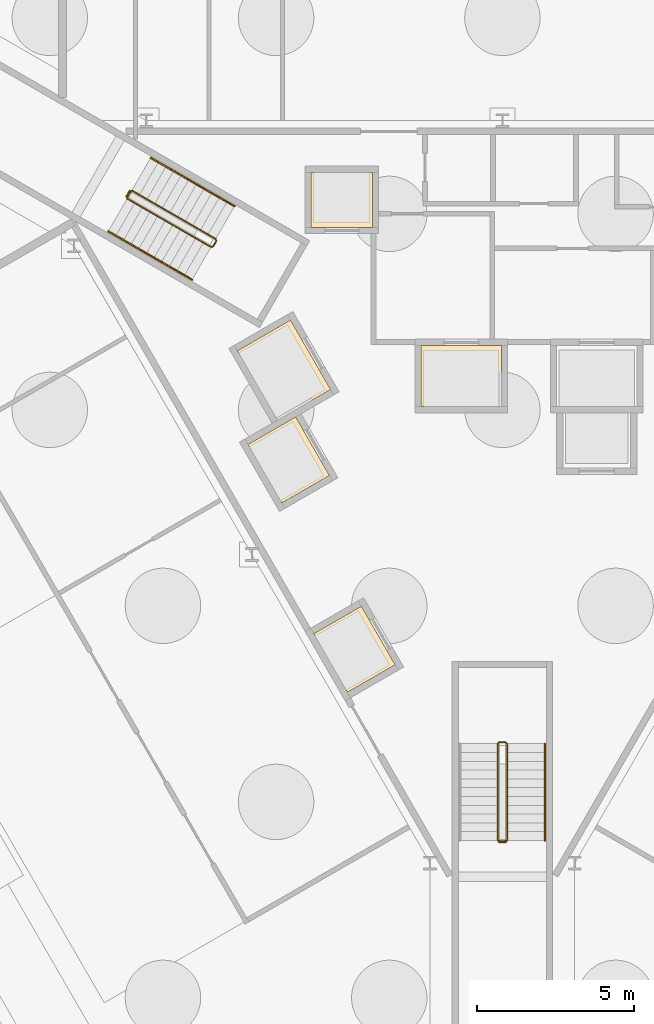
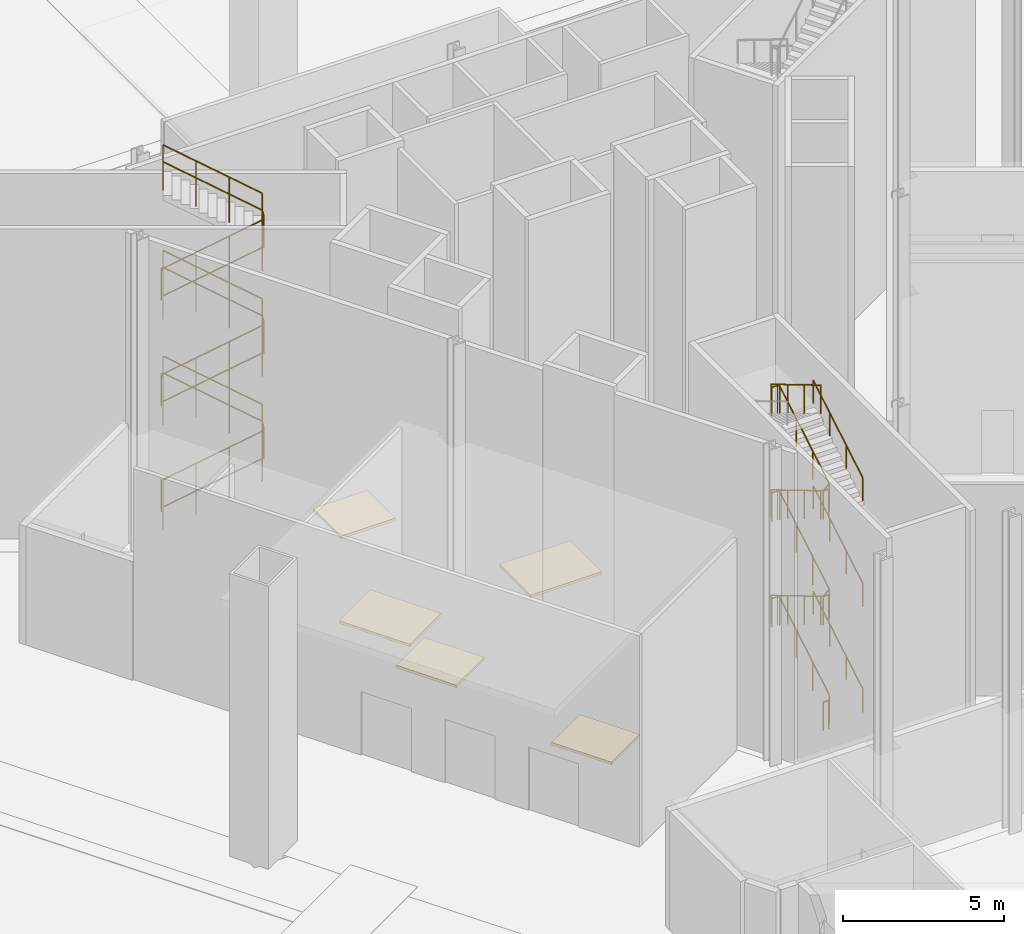
# One storey, part 15 of 22: 13 railings, 5 coverings.
"""IFC4 building model written with IfcOpenShell, lengths in metres."""

import ifcopenshell
import ifcopenshell.guid

model = None  # the IFC model being written
_history = None  # IfcOwnerHistory: only IFC2X3 demands one
_inside = {}  # id of a spatial element -> (the spatial element, [elements in it])
_under = {}  # id of a project, library or spatial element -> (it, [spatial elements below it])
_declared = {}  # id of a project -> (the project, [libraries it declares])
_typed = {}  # id of a type object -> (the type object, [elements of that type])
_made_of = {}  # id of a material, layer set ... -> (it, [elements and type objects made of it])


def new_model(schema):
    """Start an empty IFC model of exactly this schema.

    Asked for "IFC4X3", IfcOpenShell would pick the latest addendum, in which some entities
    have other attributes; the version numbers below select the first issue.
    IFC2X3 requires an IfcOwnerHistory on every rooted entity: one is made here for all.
    """
    global model, _history
    if schema == "IFC4X3":
        model = ifcopenshell.file(schema_version=(4, 3, 0, 0))
    else:
        model = ifcopenshell.file(schema=schema)
    _inside.clear()
    _under.clear()
    _declared.clear()
    _typed.clear()
    _made_of.clear()
    _history = None
    if model.schema == "IFC2X3":
        org = make("IfcOrganization", Name="unknown")
        user = make(
            "IfcPersonAndOrganization",
            ThePerson=make("IfcPerson", FamilyName="unknown"),
            TheOrganization=org,
        )
        app = make(
            "IfcApplication",
            ApplicationDeveloper=org,
            Version="unknown",
            ApplicationFullName="unknown",
            ApplicationIdentifier="unknown",
        )
        _history = make(
            "IfcOwnerHistory",
            OwningUser=user,
            OwningApplication=app,
            ChangeAction="ADDED",
            CreationDate=0,
        )
    return model


def make(cls, **values):
    """One entity of the class cls with the attributes given. An attribute that is None is left unset."""
    return model.create_entity(
        cls, **{name: value for name, value in values.items() if value is not None}
    )


def rooted(cls, **values):
    """An entity with a GlobalId (a new one), such as an element, a storey or a relation."""
    return make(cls, GlobalId=ifcopenshell.guid.new(), OwnerHistory=_history, **values)


def si_unit(unit_type, name, prefix=None):
    """IfcSIUnit, for example si_unit("LENGTHUNIT", "METRE", prefix="MILLI")."""
    return make("IfcSIUnit", UnitType=unit_type, Prefix=prefix, Name=name)


def assignment(units):
    """IfcUnitAssignment: the units of a project."""
    return None if units is None else make("IfcUnitAssignment", Units=units)


def point(xyz):
    """IfcCartesianPoint."""
    return None if xyz is None else make("IfcCartesianPoint", Coordinates=xyz)


def direction(xyz):
    """IfcDirection."""
    return None if xyz is None else make("IfcDirection", DirectionRatios=xyz)


def frame(location, z_axis=None, x_axis=None):
    """IfcAxis2Placement3D, a coordinate frame: its origin and axes. An axis left out is left unset."""
    return make(
        "IfcAxis2Placement3D",
        Location=point(location),
        Axis=direction(z_axis),
        RefDirection=direction(x_axis),
    )


def frame_2d(location, x_axis=None):
    """IfcAxis2Placement2D, a coordinate frame in the plane: its origin and x axis."""
    return make(
        "IfcAxis2Placement2D", Location=point(location), RefDirection=direction(x_axis)
    )


def origin():
    """The frame at (0, 0, 0) with its axes left unset."""
    return frame((0.0, 0.0, 0.0))


def origin_2d():
    """The frame at (0, 0) in the plane with its x axis left unset."""
    return frame_2d((0.0, 0.0))


def place(relative_to, where):
    """IfcLocalPlacement: puts the frame where relative to a parent placement (None: the world)."""
    return make(
        "IfcLocalPlacement", PlacementRelTo=relative_to, RelativePlacement=where
    )


def context(
    kind, dimensions, precision=None, world=None, true_north=None, identifier=None
):
    """IfcGeometricRepresentationContext, for example the 3D "Model" context."""
    return make(
        "IfcGeometricRepresentationContext",
        ContextIdentifier=identifier,
        ContextType=kind,
        CoordinateSpaceDimension=dimensions,
        Precision=precision,
        WorldCoordinateSystem=world,
        TrueNorth=true_north,
    )


def subcontext(parent, identifier, kind, view, scale=None):
    """IfcGeometricRepresentationSubContext, for example "Body" below "Model"."""
    return make(
        "IfcGeometricRepresentationSubContext",
        ContextIdentifier=identifier,
        ContextType=kind,
        ParentContext=parent,
        TargetScale=scale,
        TargetView=view,
    )


def project(units=None, contexts=None):
    """IfcProject with its units and contexts."""
    return rooted(
        "IfcProject",
        Name="project",
        RepresentationContexts=contexts,
        UnitsInContext=assignment(units),
    )


def spatial(cls, under=None, at=None, **own):
    """A site, building, storey or space (cls), placed at a placement, below another one or the project."""
    s = rooted(cls, ObjectPlacement=at, **own)
    if under is not None:
        _under.setdefault(under.id(), (under, []))[1].append(s)
    return s


def polyline(points):
    """IfcPolyline through the points."""
    return make("IfcPolyline", Points=[point(p) for p in points])


def profile(cls, at=None, kind="AREA", **sizes):
    """A parametric profile (cls). Its sizes go by their IFC names, for example OverallWidth=200.0."""
    return make(cls, ProfileType=kind, Position=at, **sizes)


def circle(**sizes):
    """IfcCircleProfileDef."""
    return profile("IfcCircleProfileDef", **sizes)


def outline(outer, holes=None, kind="AREA"):
    """IfcArbitraryClosedProfileDef: a profile drawn as a closed curve; with holes, ...WithVoids."""
    if holes is None:
        return make("IfcArbitraryClosedProfileDef", ProfileType=kind, OuterCurve=outer)
    return make(
        "IfcArbitraryProfileDefWithVoids",
        ProfileType=kind,
        OuterCurve=outer,
        InnerCurves=holes,
    )


def extrude(swept, where, along, depth):
    """IfcExtrudedAreaSolid: the profile swept, set in the frame where, extruded along a direction by depth."""
    return make(
        "IfcExtrudedAreaSolid",
        SweptArea=swept,
        Position=where,
        ExtrudedDirection=direction(along),
        Depth=depth,
    )


def shape(context_of_items, identifier, shape_type, items):
    """IfcShapeRepresentation: the items that make up one representation, for example the "Body"."""
    return make(
        "IfcShapeRepresentation",
        ContextOfItems=context_of_items,
        RepresentationIdentifier=identifier,
        RepresentationType=shape_type,
        Items=items,
    )


def material(Name=None, Category=None):
    """IfcMaterial."""
    return make("IfcMaterial", Name=Name, Category=Category)


def layer(
    of_material, thickness, ventilated=None, Name=None, Category=None, Priority=None
):
    """IfcMaterialLayer: one layer of a wall or slab, of a material (None: an air gap)."""
    return make(
        "IfcMaterialLayer",
        Material=of_material,
        LayerThickness=thickness,
        IsVentilated=ventilated,
        Name=Name,
        Category=Category,
        Priority=Priority,
    )


def layer_set(layers, Name=None):
    """IfcMaterialLayerSet."""
    return make("IfcMaterialLayerSet", MaterialLayers=layers, LayerSetName=Name)


def made_of(thing, what):
    """Note that an element or type object is made of a material, layer set ...; save() writes the relation."""
    if what is not None:
        _made_of.setdefault(what.id(), (what, []))[1].append(thing)
    return thing


def type_object(cls, material=None, **own):
    """A type object (cls), such as IfcWallType, which elements share."""
    return made_of(rooted(cls, **own), material)


def element(
    cls,
    number,
    at=None,
    inside=None,
    cuts=None,
    type_object=None,
    material=None,
    context=None,
    identifier="Body",
    shape_type=None,
    held_by="IfcProductDefinitionShape",
    body=None,
    shapes=None,
    **own,
):
    """One element of the class cls, such as IfcWall. Its Tag is "e" and its number.

    at: its placement. inside: the storey or other place that contains it. cuts: it is an
    opening in that element (IfcRelVoidsElement). A single representation is given by context,
    identifier, shape_type and body (its items); several are given by shapes. held_by: the class
    of the entity that holds the representations. save() writes the other relations.
    """
    e = rooted(cls, Tag="e%d" % number, ObjectPlacement=at, **own)
    if body is not None:
        shapes = [shape(context, identifier, shape_type, body)]
    if shapes is not None:
        e.Representation = make(held_by, Representations=shapes)
    if inside is not None:
        _inside.setdefault(inside.id(), (inside, []))[1].append(e)
    if cuts is not None:
        rooted(
            "IfcRelVoidsElement", RelatingBuildingElement=cuts, RelatedOpeningElement=e
        )
    if type_object is not None:
        _typed.setdefault(type_object.id(), (type_object, []))[1].append(e)
    return made_of(e, material)


def aggregate(whole, parts):
    """IfcRelAggregates: a whole, such as a stair, and the parts it consists of."""
    return rooted("IfcRelAggregates", RelatingObject=whole, RelatedObjects=parts)


def save(model, path):
    """Write the relations noted so far, then the file.

    IfcRelAggregates (storeys below a building ...), IfcRelContainedInSpatialStructure (elements
    in a storey), IfcRelDefinesByType, IfcRelAssociatesMaterial and IfcRelDeclares: one each for
    every whole, place, type object, material and project.
    """
    for whole, parts in _under.values():
        aggregate(whole, parts)
    for where, things in _inside.values():
        rooted(
            "IfcRelContainedInSpatialStructure",
            RelatedElements=things,
            RelatingStructure=where,
        )
    for kind, things in _typed.values():
        rooted("IfcRelDefinesByType", RelatedObjects=things, RelatingType=kind)
    for what, things in _made_of.values():
        rooted("IfcRelAssociatesMaterial", RelatedObjects=things, RelatingMaterial=what)
    for by, libraries in _declared.values():
        rooted("IfcRelDeclares", RelatingContext=by, RelatedDefinitions=libraries)
    model.write(path)


model = new_model("IFC4")

# Units and contexts
model_context = context("Model", 3, precision=1e-05, world=origin(), true_north=direction((0.0, 1.0)))
body_context = subcontext(model_context, "Body", "Model", "MODEL_VIEW")
ifc_project = project(units=[si_unit("LENGTHUNIT", "METRE"), si_unit("AREAUNIT", "SQUARE_METRE"), si_unit("VOLUMEUNIT", "CUBIC_METRE"), si_unit("PLANEANGLEUNIT", "RADIAN"), si_unit("MASSUNIT", "GRAM", prefix="KILO")], contexts=[model_context])

# Site, building, storey
site_placement = place(None, origin())
site = spatial("IfcSite", under=ifc_project, at=site_placement, CompositionType="ELEMENT")
building_placement = place(site_placement, origin())
building = spatial("IfcBuilding", under=site, at=building_placement, Name="Verrane Prism Tower", CompositionType="ELEMENT")
storey_placement = place(building_placement, origin())
storey = spatial("IfcBuildingStorey", under=building, at=storey_placement, Name="L00", CompositionType="ELEMENT", Elevation=0.0)

# Coverings
ifc_material_1 = material(Name="Concrete C40/50", Category="concrete")
ifc_layer = layer(ifc_material_1, 0.10009765625)
ifc_layer_set = layer_set([ifc_layer], Name="Lift pit floor 100 concrete C40/50")
covering_type = type_object("IfcCoveringType", Name="Lift pit floor 100 concrete C40/50", PredefinedType="FLOORING", material=ifc_layer_set)
covering_1_placement = place(storey_placement, frame((0.0, 0.0, -2.5)))
element("IfcCovering", 1, at=covering_1_placement, inside=storey, type_object=covering_type, Name="Shuttle lift 2 pit floor", PredefinedType="FLOORING", context=body_context, shape_type="SweptSolid", body=[
    extrude(outline(polyline([(-6.0849609375, 5.81005859375), (-6.0849609375, 7.56005859375), (-4.135009765625, 7.56005859375), (-4.135009765625, 5.81005859375), (-6.0849609375, 5.81005859375)])), origin(), (0.0, 0.0, 1.0), 0.10009765625),
])
covering_2_placement = place(storey_placement, frame((0.0, 0.0, -2.5)))
element("IfcCovering", 2, at=covering_2_placement, inside=storey, type_object=covering_type, Name="Shuttle lift 4 pit floor", PredefinedType="FLOORING", context=body_context, shape_type="SweptSolid", body=[
    extrude(outline(polyline([(-5.504150390625, -2.086669921875), (-7.01953125, -2.961669921875), (-8.0947265625, -1.099609375), (-6.5791015625, -0.224609375), (-5.504150390625, -2.086669921875)])), origin(), (0.0, 0.0, 1.0), 0.10009765625),
])
covering_3_placement = place(storey_placement, frame((0.0, 0.0, -2.5)))
element("IfcCovering", 3, at=covering_3_placement, inside=storey, type_object=covering_type, Name="Fire service lift 1 pit floor", PredefinedType="FLOORING", context=body_context, shape_type="SweptSolid", body=[
    extrude(outline(polyline([(-0.034912109375, 2.050048828125), (-0.034912109375, 0.10009765625), (-2.5849609375, 0.10009765625), (-2.5849609375, 2.050048828125), (-0.034912109375, 2.050048828125)])), origin(), (0.0, 0.0, 1.0), 0.10009765625),
])
covering_4_placement = place(storey_placement, frame((0.0, 0.0, -2.5)))
element("IfcCovering", 4, at=covering_4_placement, inside=storey, type_object=covering_type, Name="Service lift 1 pit floor", PredefinedType="FLOORING", context=body_context, shape_type="SweptSolid", body=[
    extrude(outline(polyline([(-5.466552734375, 0.6484375), (-7.155517578125, -0.326416015625), (-8.430419921875, 1.8818359375), (-6.74169921875, 2.85693359375), (-5.466552734375, 0.6484375)])), origin(), (0.0, 0.0, 1.0), 0.10009765625),
])
covering_5_placement = place(storey_placement, frame((0.0, 0.0, -2.5)))
element("IfcCovering", 5, at=covering_5_placement, inside=storey, type_object=covering_type, Name="Retail lift 1 pit floor", PredefinedType="FLOORING", context=body_context, shape_type="SweptSolid", body=[
    extrude(outline(polyline([(-3.413330078125, -8.10791015625), (-4.928955078125, -8.98291015625), (-6.00390625, -7.120849609375), (-4.48828125, -6.245849609375), (-3.413330078125, -8.10791015625)])), origin(), (0.0, 0.0, 1.0), 0.10009765625),
])

# Railings
ifc_material_2 = material(Name="Steel A36 rail and posts, no infill", Category="steel")
railing_type_1 = type_object("IfcRailingType", Name="Stair guard 1100 steel rail and posts", PredefinedType="GUARDRAIL", material=ifc_material_2)
railing_1_placement = place(storey_placement, frame((-11.939453125, 6.72021484375, 0.166748046875)))
element("IfcRailing", 6, at=railing_1_placement, inside=storey, type_object=railing_type_1, Name="Stair 2 guard", PredefinedType="GUARDRAIL", context=body_context, shape_type="SweptSolid", body=[
    extrude(circle(Radius=0.02392578125, at=origin_2d()), frame((0.0, 0.0, 1.076171875), z_axis=(0.744159446956, -0.429671193721, 0.511477646425), x_axis=(0.500026652407, 0.866010015463, 0.0)), (0.0, 0.0, 1.0), 3.584228515625),
    extrude(circle(Radius=0.02392578125, at=origin_2d()), frame((2.667236328125, -1.5400390625, 2.9091796875), z_axis=(0.965948051503, 0.258736085224, 0.0), x_axis=(-0.258736085224, 0.965948051503, 0.0)), (0.0, 0.0, 1.0), 0.07080078125),
    extrude(circle(Radius=0.02392578125, at=origin_2d()), frame((2.735595703125, -1.521728515625, 2.9091796875), z_axis=(0.499687197852, 0.866205924883, 0.0), x_axis=(-0.866205924883, 0.499687197852, 0.0)), (0.0, 0.0, 1.0), 0.199951171875),
    extrude(circle(Radius=0.02392578125, at=origin_2d()), frame((2.83544921875, -1.3486328125, 2.9091796875), z_axis=(-0.101082757184, 0.377375626821, 0.920526975423), x_axis=(-0.965948051503, -0.258736085224, 0.0)), (0.0, 0.0, 1.0), 0.18115234375),
    extrude(circle(Radius=0.02392578125, at=origin_2d()), frame((2.817138671875, -1.2802734375, 3.076171875), z_axis=(-0.744159446956, 0.429671193721, 0.511477646425), x_axis=(-0.500026652407, -0.866010015463, 0.0)), (0.0, 0.0, 1.0), 3.584228515625),
    extrude(circle(Radius=0.02392578125, at=origin_2d()), frame((0.14990234375, 0.259765625, 4.9091796875), z_axis=(-0.659656118156, -0.751567565678, 0.0), x_axis=(0.751567565678, -0.659656118156, 0.0)), (0.0, 0.0, 1.0), 0.2548828125),
    extrude(circle(Radius=0.02392578125, at=origin_2d()), frame((-0.018310546875, 0.068115234375, 4.9091796875), z_axis=(0.499158860599, 0.866510491504, 0.0), x_axis=(-0.866510491504, 0.499158860599, 0.0)), (0.0, 0.0, 1.0), 0.199951171875),
    extrude(circle(Radius=0.02392578125, at=origin_2d()), frame((0.08154296875, 0.241455078125, 4.9091796875), z_axis=(-0.267743234502, -0.792808559648, 0.547510865763), x_axis=(0.947430582667, -0.3199613899, 0.0)), (0.0, 0.0, 1.0), 0.304443359375),
    extrude(circle(Radius=0.02392578125, at=origin_2d()), frame((0.0, 0.0, 5.076171875), z_axis=(0.744159446956, -0.429671193721, 0.511477646425), x_axis=(0.500026652407, 0.866010015463, 0.0)), (0.0, 0.0, 1.0), 3.584228515625),
    extrude(circle(Radius=0.02392578125, at=origin_2d()), frame((2.667236328125, -1.5400390625, 6.9091796875), z_axis=(0.965948051503, 0.258736085224, 0.0), x_axis=(-0.258736085224, 0.965948051503, 0.0)), (0.0, 0.0, 1.0), 0.07080078125),
    extrude(circle(Radius=0.02392578125, at=origin_2d()), frame((2.735595703125, -1.521728515625, 6.9091796875), z_axis=(0.499687197852, 0.866205924883, 0.0), x_axis=(-0.866205924883, 0.499687197852, 0.0)), (0.0, 0.0, 1.0), 0.199951171875),
    extrude(circle(Radius=0.02392578125, at=origin_2d()), frame((2.83544921875, -1.3486328125, 6.9091796875), z_axis=(-0.101082757184, 0.377375626821, 0.920526975423), x_axis=(-0.965948051503, -0.258736085224, 0.0)), (0.0, 0.0, 1.0), 0.18115234375),
    extrude(circle(Radius=0.02392578125, at=origin_2d()), frame((2.817138671875, -1.2802734375, 7.076171875), z_axis=(-0.744159446956, 0.429671193721, 0.511477646425), x_axis=(-0.500026652407, -0.866010015463, 0.0)), (0.0, 0.0, 1.0), 3.584228515625),
    extrude(circle(Radius=0.02392578125, at=origin_2d()), frame((0.14990234375, 0.259765625, 8.9091796875), z_axis=(-0.659656118156, -0.751567565678, 0.0), x_axis=(0.751567565678, -0.659656118156, 0.0)), (0.0, 0.0, 1.0), 0.2548828125),
    extrude(circle(Radius=0.02392578125, at=origin_2d()), frame((-0.018310546875, 0.068115234375, 8.9091796875), z_axis=(0.499158860599, 0.866510491504, 0.0), x_axis=(-0.866510491504, 0.499158860599, 0.0)), (0.0, 0.0, 1.0), 0.199951171875),
    extrude(circle(Radius=0.02392578125, at=origin_2d()), frame((0.08154296875, 0.241455078125, 8.9091796875), z_axis=(-0.267743234502, -0.792808559648, 0.547510865763), x_axis=(0.947430582667, -0.3199613899, 0.0)), (0.0, 0.0, 1.0), 0.304443359375),
    extrude(circle(Radius=0.02392578125, at=origin_2d()), frame((0.0, 0.0, 9.076171875), z_axis=(0.744159446956, -0.429671193721, 0.511477646425), x_axis=(0.500026652407, 0.866010015463, 0.0)), (0.0, 0.0, 1.0), 3.584228515625),
    extrude(circle(Radius=0.02392578125, at=origin_2d()), frame((2.667236328125, -1.5400390625, 10.9091796875), z_axis=(0.965948051503, 0.258736085224, 0.0), x_axis=(-0.258736085224, 0.965948051503, 0.0)), (0.0, 0.0, 1.0), 0.07080078125),
    extrude(circle(Radius=0.02392578125, at=origin_2d()), frame((2.735595703125, -1.521728515625, 10.9091796875), z_axis=(0.499687197852, 0.866205924883, 0.0), x_axis=(-0.866205924883, 0.499687197852, 0.0)), (0.0, 0.0, 1.0), 0.199951171875),
    extrude(circle(Radius=0.02392578125, at=origin_2d()), frame((2.83544921875, -1.3486328125, 10.9091796875), z_axis=(-0.101082757184, 0.377375626821, 0.920526975423), x_axis=(-0.965948051503, -0.258736085224, 0.0)), (0.0, 0.0, 1.0), 0.18115234375),
    extrude(circle(Radius=0.02392578125, at=origin_2d()), frame((2.817138671875, -1.2802734375, 11.076171875), z_axis=(-0.744159446956, 0.429671193721, 0.511477646425), x_axis=(-0.500026652407, -0.866010015463, 0.0)), (0.0, 0.0, 1.0), 3.584228515625),
    extrude(circle(Radius=0.02099609375, at=origin_2d()), origin(), (0.0, 0.0, 1.0), 1.052001953125),
    extrude(circle(Radius=0.02099609375, at=origin_2d()), frame((0.88916015625, -0.513427734375, 0.611083984375)), (0.0, 0.0, 1.0), 1.052001953125),
    extrude(circle(Radius=0.02099609375, at=origin_2d()), frame((1.778076171875, -1.026611328125, 1.22216796875)), (0.0, 0.0, 1.0), 1.052001953125),
    extrude(circle(Radius=0.02099609375, at=origin_2d()), frame((2.667236328125, -1.5400390625, 1.833251953125)), (0.0, 0.0, 1.0), 1.052001953125),
    extrude(circle(Radius=0.02099609375, at=origin_2d()), frame((2.735595703125, -1.521728515625, 1.833251953125)), (0.0, 0.0, 1.0), 1.052001953125),
    extrude(circle(Radius=0.02099609375, at=origin_2d()), frame((2.83544921875, -1.3486328125, 1.833251953125)), (0.0, 0.0, 1.0), 1.052001953125),
    extrude(circle(Radius=0.02099609375, at=origin_2d()), frame((2.817138671875, -1.2802734375, 2.0)), (0.0, 0.0, 1.0), 1.052001953125),
    extrude(circle(Radius=0.02099609375, at=origin_2d()), frame((1.927978515625, -0.766845703125, 2.611083984375)), (0.0, 0.0, 1.0), 1.052001953125),
    extrude(circle(Radius=0.02099609375, at=origin_2d()), frame((1.0390625, -0.253662109375, 3.22216796875)), (0.0, 0.0, 1.0), 1.052001953125),
    extrude(circle(Radius=0.02099609375, at=origin_2d()), frame((0.14990234375, 0.259765625, 3.833251953125)), (0.0, 0.0, 1.0), 1.052001953125),
    extrude(circle(Radius=0.02099609375, at=origin_2d()), frame((-0.018310546875, 0.068115234375, 3.833251953125)), (0.0, 0.0, 1.0), 1.052001953125),
    extrude(circle(Radius=0.02099609375, at=origin_2d()), frame((0.08154296875, 0.241455078125, 3.833251953125)), (0.0, 0.0, 1.0), 1.052001953125),
    extrude(circle(Radius=0.02099609375, at=origin_2d()), frame((0.0, 0.0, 4.0)), (0.0, 0.0, 1.0), 1.052001953125),
    extrude(circle(Radius=0.02099609375, at=origin_2d()), frame((0.88916015625, -0.513427734375, 4.611083984375)), (0.0, 0.0, 1.0), 1.052001953125),
    extrude(circle(Radius=0.02099609375, at=origin_2d()), frame((1.778076171875, -1.026611328125, 5.22216796875)), (0.0, 0.0, 1.0), 1.052001953125),
    extrude(circle(Radius=0.02099609375, at=origin_2d()), frame((2.667236328125, -1.5400390625, 5.833251953125)), (0.0, 0.0, 1.0), 1.052001953125),
    extrude(circle(Radius=0.02099609375, at=origin_2d()), frame((2.735595703125, -1.521728515625, 5.833251953125)), (0.0, 0.0, 1.0), 1.052001953125),
    extrude(circle(Radius=0.02099609375, at=origin_2d()), frame((2.83544921875, -1.3486328125, 5.833251953125)), (0.0, 0.0, 1.0), 1.052001953125),
    extrude(circle(Radius=0.02099609375, at=origin_2d()), frame((2.817138671875, -1.2802734375, 6.0)), (0.0, 0.0, 1.0), 1.052001953125),
    extrude(circle(Radius=0.02099609375, at=origin_2d()), frame((1.927978515625, -0.766845703125, 6.611083984375)), (0.0, 0.0, 1.0), 1.052001953125),
    extrude(circle(Radius=0.02099609375, at=origin_2d()), frame((1.0390625, -0.253662109375, 7.22216796875)), (0.0, 0.0, 1.0), 1.052001953125),
    extrude(circle(Radius=0.02099609375, at=origin_2d()), frame((0.14990234375, 0.259765625, 7.833251953125)), (0.0, 0.0, 1.0), 1.052001953125),
    extrude(circle(Radius=0.02099609375, at=origin_2d()), frame((-0.018310546875, 0.068115234375, 7.833251953125)), (0.0, 0.0, 1.0), 1.052001953125),
    extrude(circle(Radius=0.02099609375, at=origin_2d()), frame((0.08154296875, 0.241455078125, 7.833251953125)), (0.0, 0.0, 1.0), 1.052001953125),
    extrude(circle(Radius=0.02099609375, at=origin_2d()), frame((0.0, 0.0, 8.0)), (0.0, 0.0, 1.0), 1.052001953125),
    extrude(circle(Radius=0.02099609375, at=origin_2d()), frame((0.88916015625, -0.513427734375, 8.611083984375)), (0.0, 0.0, 1.0), 1.052001953125),
    extrude(circle(Radius=0.02099609375, at=origin_2d()), frame((1.778076171875, -1.026611328125, 9.22216796875)), (0.0, 0.0, 1.0), 1.052001953125),
    extrude(circle(Radius=0.02099609375, at=origin_2d()), frame((2.667236328125, -1.5400390625, 9.833251953125)), (0.0, 0.0, 1.0), 1.052001953125),
    extrude(circle(Radius=0.02099609375, at=origin_2d()), frame((2.735595703125, -1.521728515625, 9.833251953125)), (0.0, 0.0, 1.0), 1.052001953125),
    extrude(circle(Radius=0.02099609375, at=origin_2d()), frame((2.83544921875, -1.3486328125, 9.833251953125)), (0.0, 0.0, 1.0), 1.052001953125),
    extrude(circle(Radius=0.02099609375, at=origin_2d()), frame((2.817138671875, -1.2802734375, 10.0)), (0.0, 0.0, 1.0), 1.052001953125),
    extrude(circle(Radius=0.02099609375, at=origin_2d()), frame((1.927978515625, -0.766845703125, 10.611083984375)), (0.0, 0.0, 1.0), 1.052001953125),
    extrude(circle(Radius=0.02099609375, at=origin_2d()), frame((1.0390625, -0.253662109375, 11.22216796875)), (0.0, 0.0, 1.0), 1.052001953125),
    extrude(circle(Radius=0.02099609375, at=origin_2d()), frame((0.14990234375, 0.259765625, 11.833251953125)), (0.0, 0.0, 1.0), 1.052001953125),
])
railing_2_placement = place(storey_placement, frame((-11.957763671875, 6.788330078125, 0.0)))
element("IfcRailing", 7, at=railing_2_placement, inside=storey, type_object=railing_type_1, Name="Stair 2 guard", PredefinedType="GUARDRAIL", context=body_context, shape_type="SweptSolid", body=[
    extrude(circle(Radius=0.02392578125, at=origin_2d()), frame((0.0, 0.0, 1.076171875), z_axis=(0.499158860599, 0.866510491504, 0.0), x_axis=(-0.866510491504, 0.499158860599, 0.0)), (0.0, 0.0, 1.0), 0.199951171875),
    extrude(circle(Radius=0.02099609375, at=origin_2d()), origin(), (0.0, 0.0, 1.0), 1.052001953125),
    extrude(circle(Radius=0.02099609375, at=origin_2d()), frame((0.099853515625, 0.17333984375, 0.0)), (0.0, 0.0, 1.0), 1.052001953125),
])
railing_3_placement = place(storey_placement, frame((0.14990234375, -13.699951171875, 0.166748046875)))
element("IfcRailing", 8, at=railing_3_placement, inside=storey, type_object=railing_type_1, Name="Stair 3 guard", PredefinedType="GUARDRAIL", context=body_context, shape_type="SweptSolid", body=[
    extrude(circle(Radius=0.02392578125, at=origin_2d()), frame((0.0, 0.0, 1.076171875), z_axis=(0.0, 0.859290745958, 0.51148745235), x_axis=(-1.0, 0.0, 0.0)), (0.0, 0.0, 1.0), 3.584228515625),
    extrude(circle(Radius=0.02392578125, at=origin_2d()), frame((0.0, 3.079833984375, 2.9091796875), z_axis=(-0.705375805398, 0.708833529934, 0.0), x_axis=(-0.708833529934, -0.705375805398, 0.0)), (0.0, 0.0, 1.0), 0.070556640625),
    extrude(circle(Radius=0.02392578125, at=origin_2d()), frame((-0.0498046875, 3.1298828125, 2.9091796875), z_axis=(-1.0, 0.0, 0.0), x_axis=(0.0, -1.0, 0.0)), (0.0, 0.0, 1.0), 0.2001953125),
    extrude(circle(Radius=0.02392578125, at=origin_2d()), frame((-0.25, 3.1298828125, 2.9091796875), z_axis=(-0.275041040955, -0.276389281352, 0.920848191041), x_axis=(0.708833529934, -0.705375805398, 0.0)), (0.0, 0.0, 1.0), 0.18115234375),
    extrude(circle(Radius=0.02392578125, at=origin_2d()), frame((-0.2998046875, 3.079833984375, 3.076171875), z_axis=(0.0, -0.859290745958, 0.51148745235), x_axis=(1.0, 0.0, 0.0)), (0.0, 0.0, 1.0), 3.584228515625),
    extrude(circle(Radius=0.02392578125, at=origin_2d()), frame((-0.2998046875, 0.0, 4.9091796875), z_axis=(0.98054382908, -0.196300278283, 0.0), x_axis=(0.196300278283, 0.98054382908, 0.0)), (0.0, 0.0, 1.0), 0.2548828125),
    extrude(circle(Radius=0.02392578125, at=origin_2d()), frame((-0.0498046875, -0.050048828125, 4.9091796875), z_axis=(-1.0, 0.0, 0.0), x_axis=(0.0, -1.0, 0.0)), (0.0, 0.0, 1.0), 0.2001953125),
    extrude(circle(Radius=0.02392578125, at=origin_2d()), frame((-0.25, -0.050048828125, 4.9091796875), z_axis=(0.820621892478, 0.164284656209, 0.547348391174), x_axis=(-0.196300278283, 0.98054382908, 0.0)), (0.0, 0.0, 1.0), 0.3046875),
    extrude(circle(Radius=0.02392578125, at=origin_2d()), frame((0.0, 0.0, 5.076171875), z_axis=(0.0, 0.859290745958, 0.51148745235), x_axis=(-1.0, 0.0, 0.0)), (0.0, 0.0, 1.0), 3.584228515625),
    extrude(circle(Radius=0.02392578125, at=origin_2d()), frame((0.0, 3.079833984375, 6.9091796875), z_axis=(-0.705375805398, 0.708833529934, 0.0), x_axis=(-0.708833529934, -0.705375805398, 0.0)), (0.0, 0.0, 1.0), 0.070556640625),
    extrude(circle(Radius=0.02392578125, at=origin_2d()), frame((-0.0498046875, 3.1298828125, 6.9091796875), z_axis=(-1.0, 0.0, 0.0), x_axis=(0.0, -1.0, 0.0)), (0.0, 0.0, 1.0), 0.2001953125),
    extrude(circle(Radius=0.02392578125, at=origin_2d()), frame((-0.25, 3.1298828125, 6.9091796875), z_axis=(-0.275041040955, -0.276389281352, 0.920848191041), x_axis=(0.708833529934, -0.705375805398, 0.0)), (0.0, 0.0, 1.0), 0.18115234375),
    extrude(circle(Radius=0.02392578125, at=origin_2d()), frame((-0.2998046875, 3.079833984375, 7.076171875), z_axis=(0.0, -0.859290745958, 0.51148745235), x_axis=(1.0, 0.0, 0.0)), (0.0, 0.0, 1.0), 3.584228515625),
    extrude(circle(Radius=0.02392578125, at=origin_2d()), frame((-0.2998046875, 0.0, 8.9091796875), z_axis=(0.98054382908, -0.196300278283, 0.0), x_axis=(0.196300278283, 0.98054382908, 0.0)), (0.0, 0.0, 1.0), 0.2548828125),
    extrude(circle(Radius=0.02392578125, at=origin_2d()), frame((-0.0498046875, -0.050048828125, 8.9091796875), z_axis=(-1.0, 0.0, 0.0), x_axis=(0.0, -1.0, 0.0)), (0.0, 0.0, 1.0), 0.2001953125),
    extrude(circle(Radius=0.02392578125, at=origin_2d()), frame((-0.25, -0.050048828125, 8.9091796875), z_axis=(0.820621892478, 0.164284656209, 0.547348391174), x_axis=(-0.196300278283, 0.98054382908, 0.0)), (0.0, 0.0, 1.0), 0.3046875),
    extrude(circle(Radius=0.02392578125, at=origin_2d()), frame((0.0, 0.0, 9.076171875), z_axis=(0.0, 0.859290745958, 0.51148745235), x_axis=(-1.0, 0.0, 0.0)), (0.0, 0.0, 1.0), 3.584228515625),
    extrude(circle(Radius=0.02392578125, at=origin_2d()), frame((0.0, 3.079833984375, 10.9091796875), z_axis=(-0.705375805398, 0.708833529934, 0.0), x_axis=(-0.708833529934, -0.705375805398, 0.0)), (0.0, 0.0, 1.0), 0.070556640625),
    extrude(circle(Radius=0.02392578125, at=origin_2d()), frame((-0.0498046875, 3.1298828125, 10.9091796875), z_axis=(-1.0, 0.0, 0.0), x_axis=(0.0, -1.0, 0.0)), (0.0, 0.0, 1.0), 0.2001953125),
    extrude(circle(Radius=0.02392578125, at=origin_2d()), frame((-0.25, 3.1298828125, 10.9091796875), z_axis=(-0.275041040955, -0.276389281352, 0.920848191041), x_axis=(0.708833529934, -0.705375805398, 0.0)), (0.0, 0.0, 1.0), 0.18115234375),
    extrude(circle(Radius=0.02392578125, at=origin_2d()), frame((-0.2998046875, 3.079833984375, 11.076171875), z_axis=(0.0, -0.859290745958, 0.51148745235), x_axis=(1.0, 0.0, 0.0)), (0.0, 0.0, 1.0), 3.584228515625),
    extrude(circle(Radius=0.02099609375, at=origin_2d()), origin(), (0.0, 0.0, 1.0), 1.052001953125),
    extrude(circle(Radius=0.02099609375, at=origin_2d()), frame((0.0, 1.026611328125, 0.611083984375)), (0.0, 0.0, 1.0), 1.052001953125),
    extrude(circle(Radius=0.02099609375, at=origin_2d()), frame((0.0, 2.05322265625, 1.22216796875)), (0.0, 0.0, 1.0), 1.052001953125),
    extrude(circle(Radius=0.02099609375, at=origin_2d()), frame((0.0, 3.079833984375, 1.833251953125)), (0.0, 0.0, 1.0), 1.052001953125),
    extrude(circle(Radius=0.02099609375, at=origin_2d()), frame((-0.0498046875, 3.1298828125, 1.833251953125)), (0.0, 0.0, 1.0), 1.052001953125),
    extrude(circle(Radius=0.02099609375, at=origin_2d()), frame((-0.25, 3.1298828125, 1.833251953125)), (0.0, 0.0, 1.0), 1.052001953125),
    extrude(circle(Radius=0.02099609375, at=origin_2d()), frame((-0.2998046875, 3.079833984375, 2.0)), (0.0, 0.0, 1.0), 1.052001953125),
    extrude(circle(Radius=0.02099609375, at=origin_2d()), frame((-0.2998046875, 2.05322265625, 2.611083984375)), (0.0, 0.0, 1.0), 1.052001953125),
    extrude(circle(Radius=0.02099609375, at=origin_2d()), frame((-0.2998046875, 1.026611328125, 3.22216796875)), (0.0, 0.0, 1.0), 1.052001953125),
    extrude(circle(Radius=0.02099609375, at=origin_2d()), frame((-0.2998046875, 0.0, 3.833251953125)), (0.0, 0.0, 1.0), 1.052001953125),
    extrude(circle(Radius=0.02099609375, at=origin_2d()), frame((-0.0498046875, -0.050048828125, 3.833251953125)), (0.0, 0.0, 1.0), 1.052001953125),
    extrude(circle(Radius=0.02099609375, at=origin_2d()), frame((-0.25, -0.050048828125, 3.833251953125)), (0.0, 0.0, 1.0), 1.052001953125),
    extrude(circle(Radius=0.02099609375, at=origin_2d()), frame((0.0, 0.0, 4.0)), (0.0, 0.0, 1.0), 1.052001953125),
    extrude(circle(Radius=0.02099609375, at=origin_2d()), frame((0.0, 1.026611328125, 4.611083984375)), (0.0, 0.0, 1.0), 1.052001953125),
    extrude(circle(Radius=0.02099609375, at=origin_2d()), frame((0.0, 2.05322265625, 5.22216796875)), (0.0, 0.0, 1.0), 1.052001953125),
    extrude(circle(Radius=0.02099609375, at=origin_2d()), frame((0.0, 3.079833984375, 5.833251953125)), (0.0, 0.0, 1.0), 1.052001953125),
    extrude(circle(Radius=0.02099609375, at=origin_2d()), frame((-0.0498046875, 3.1298828125, 5.833251953125)), (0.0, 0.0, 1.0), 1.052001953125),
    extrude(circle(Radius=0.02099609375, at=origin_2d()), frame((-0.25, 3.1298828125, 5.833251953125)), (0.0, 0.0, 1.0), 1.052001953125),
    extrude(circle(Radius=0.02099609375, at=origin_2d()), frame((-0.2998046875, 3.079833984375, 6.0)), (0.0, 0.0, 1.0), 1.052001953125),
    extrude(circle(Radius=0.02099609375, at=origin_2d()), frame((-0.2998046875, 2.05322265625, 6.611083984375)), (0.0, 0.0, 1.0), 1.052001953125),
    extrude(circle(Radius=0.02099609375, at=origin_2d()), frame((-0.2998046875, 1.026611328125, 7.22216796875)), (0.0, 0.0, 1.0), 1.052001953125),
    extrude(circle(Radius=0.02099609375, at=origin_2d()), frame((-0.2998046875, 0.0, 7.833251953125)), (0.0, 0.0, 1.0), 1.052001953125),
    extrude(circle(Radius=0.02099609375, at=origin_2d()), frame((-0.0498046875, -0.050048828125, 7.833251953125)), (0.0, 0.0, 1.0), 1.052001953125),
    extrude(circle(Radius=0.02099609375, at=origin_2d()), frame((-0.25, -0.050048828125, 7.833251953125)), (0.0, 0.0, 1.0), 1.052001953125),
    extrude(circle(Radius=0.02099609375, at=origin_2d()), frame((0.0, 0.0, 8.0)), (0.0, 0.0, 1.0), 1.052001953125),
    extrude(circle(Radius=0.02099609375, at=origin_2d()), frame((0.0, 1.026611328125, 8.611083984375)), (0.0, 0.0, 1.0), 1.052001953125),
    extrude(circle(Radius=0.02099609375, at=origin_2d()), frame((0.0, 2.05322265625, 9.22216796875)), (0.0, 0.0, 1.0), 1.052001953125),
    extrude(circle(Radius=0.02099609375, at=origin_2d()), frame((0.0, 3.079833984375, 9.833251953125)), (0.0, 0.0, 1.0), 1.052001953125),
    extrude(circle(Radius=0.02099609375, at=origin_2d()), frame((-0.0498046875, 3.1298828125, 9.833251953125)), (0.0, 0.0, 1.0), 1.052001953125),
    extrude(circle(Radius=0.02099609375, at=origin_2d()), frame((-0.25, 3.1298828125, 9.833251953125)), (0.0, 0.0, 1.0), 1.052001953125),
    extrude(circle(Radius=0.02099609375, at=origin_2d()), frame((-0.2998046875, 3.079833984375, 10.0)), (0.0, 0.0, 1.0), 1.052001953125),
    extrude(circle(Radius=0.02099609375, at=origin_2d()), frame((-0.2998046875, 2.05322265625, 10.611083984375)), (0.0, 0.0, 1.0), 1.052001953125),
    extrude(circle(Radius=0.02099609375, at=origin_2d()), frame((-0.2998046875, 1.026611328125, 11.22216796875)), (0.0, 0.0, 1.0), 1.052001953125),
    extrude(circle(Radius=0.02099609375, at=origin_2d()), frame((-0.2998046875, 0.0, 11.833251953125)), (0.0, 0.0, 1.0), 1.052001953125),
])
railing_4_placement = place(storey_placement, frame((0.10009765625, -13.75, 0.0)))
element("IfcRailing", 9, at=railing_4_placement, inside=storey, type_object=railing_type_1, Name="Stair 3 guard", PredefinedType="GUARDRAIL", context=body_context, shape_type="SweptSolid", body=[
    extrude(circle(Radius=0.02392578125, at=origin_2d()), frame((0.0, 0.0, 1.076171875), z_axis=(-1.0, 0.0, 0.0), x_axis=(0.0, -1.0, 0.0)), (0.0, 0.0, 1.0), 0.2001953125),
    extrude(circle(Radius=0.02099609375, at=origin_2d()), origin(), (0.0, 0.0, 1.0), 1.052001953125),
    extrude(circle(Radius=0.02099609375, at=origin_2d()), frame((-0.2001953125, 0.0, 0.0)), (0.0, 0.0, 1.0), 1.052001953125),
])
ifc_material_3 = material(Name="Steel A36 tube", Category="steel")
railing_type_2 = type_object("IfcRailingType", Name="Stair handrail 900 steel tube", PredefinedType="HANDRAIL", material=ifc_material_3)
railing_5_placement = place(storey_placement, frame((-12.53955078125, 5.680908203125, 0.166748046875)))
element("IfcRailing", 10, at=railing_5_placement, inside=storey, type_object=railing_type_2, Name="Stair 2 handrail", PredefinedType="HANDRAIL", context=body_context, shape_type="SweptSolid", body=[
    extrude(circle(Radius=0.02392578125, at=origin_2d()), frame((0.0, 0.0, 0.8759765625), z_axis=(0.744159446956, -0.429671193721, 0.511477646425), x_axis=(0.500026652407, 0.866010015463, 0.0)), (0.0, 0.0, 1.0), 3.584228515625),
    extrude(circle(Radius=0.02099609375, at=origin_2d()), origin(), (0.0, 0.0, 1.0), 0.851806640625),
    extrude(circle(Radius=0.02099609375, at=origin_2d()), frame((0.88916015625, -0.513427734375, 0.611083984375)), (0.0, 0.0, 1.0), 0.851806640625),
    extrude(circle(Radius=0.02099609375, at=origin_2d()), frame((1.778076171875, -1.026611328125, 1.22216796875)), (0.0, 0.0, 1.0), 0.851806640625),
    extrude(circle(Radius=0.02099609375, at=origin_2d()), frame((2.667236328125, -1.5400390625, 1.833251953125)), (0.0, 0.0, 1.0), 0.851806640625),
])
railing_6_placement = place(storey_placement, frame((-8.522216796875, 6.479248046875, 2.166748046875)))
element("IfcRailing", 11, at=railing_6_placement, inside=storey, type_object=railing_type_2, Name="Stair 2 handrail", PredefinedType="HANDRAIL", context=body_context, shape_type="SweptSolid", body=[
    extrude(circle(Radius=0.02392578125, at=origin_2d()), frame((0.0, 0.0, 0.8759765625), z_axis=(-0.74418122563, 0.429615651263, 0.511492615401), x_axis=(-0.499967199496, -0.866044340336, 0.0)), (0.0, 0.0, 1.0), 3.584228515625),
    extrude(circle(Radius=0.02099609375, at=origin_2d()), origin(), (0.0, 0.0, 1.0), 0.851806640625),
    extrude(circle(Radius=0.02099609375, at=origin_2d()), frame((-0.88916015625, 0.51318359375, 0.611083984375)), (0.0, 0.0, 1.0), 0.851806640625),
    extrude(circle(Radius=0.02099609375, at=origin_2d()), frame((-1.778076171875, 1.026611328125, 1.22216796875)), (0.0, 0.0, 1.0), 0.851806640625),
    extrude(circle(Radius=0.02099609375, at=origin_2d()), frame((-2.667236328125, 1.539794921875, 1.833251953125)), (0.0, 0.0, 1.0), 0.851806640625),
])
railing_7_placement = place(storey_placement, frame((-12.53955078125, 5.680908203125, 4.166748046875)))
element("IfcRailing", 12, at=railing_7_placement, inside=storey, type_object=railing_type_2, Name="Stair 2 handrail", PredefinedType="HANDRAIL", context=body_context, shape_type="SweptSolid", body=[
    extrude(circle(Radius=0.02392578125, at=origin_2d()), frame((0.0, 0.0, 0.8759765625), z_axis=(0.744159446956, -0.429671193721, 0.511477646425), x_axis=(0.500026652407, 0.866010015463, 0.0)), (0.0, 0.0, 1.0), 3.584228515625),
    extrude(circle(Radius=0.02099609375, at=origin_2d()), origin(), (0.0, 0.0, 1.0), 0.851806640625),
    extrude(circle(Radius=0.02099609375, at=origin_2d()), frame((0.88916015625, -0.513427734375, 0.611083984375)), (0.0, 0.0, 1.0), 0.851806640625),
    extrude(circle(Radius=0.02099609375, at=origin_2d()), frame((1.778076171875, -1.026611328125, 1.22216796875)), (0.0, 0.0, 1.0), 0.851806640625),
    extrude(circle(Radius=0.02099609375, at=origin_2d()), frame((2.667236328125, -1.5400390625, 1.833251953125)), (0.0, 0.0, 1.0), 0.851806640625),
])
railing_8_placement = place(storey_placement, frame((-8.522216796875, 6.479248046875, 6.166748046875)))
element("IfcRailing", 13, at=railing_8_placement, inside=storey, type_object=railing_type_2, Name="Stair 2 handrail", PredefinedType="HANDRAIL", context=body_context, shape_type="SweptSolid", body=[
    extrude(circle(Radius=0.02392578125, at=origin_2d()), frame((0.0, 0.0, 0.8759765625), z_axis=(-0.74418122563, 0.429615651263, 0.511492615401), x_axis=(-0.499967199496, -0.866044340336, 0.0)), (0.0, 0.0, 1.0), 3.584228515625),
    extrude(circle(Radius=0.02099609375, at=origin_2d()), origin(), (0.0, 0.0, 1.0), 0.851806640625),
    extrude(circle(Radius=0.02099609375, at=origin_2d()), frame((-0.88916015625, 0.51318359375, 0.611083984375)), (0.0, 0.0, 1.0), 0.851806640625),
    extrude(circle(Radius=0.02099609375, at=origin_2d()), frame((-1.778076171875, 1.026611328125, 1.22216796875)), (0.0, 0.0, 1.0), 0.851806640625),
    extrude(circle(Radius=0.02099609375, at=origin_2d()), frame((-2.667236328125, 1.539794921875, 1.833251953125)), (0.0, 0.0, 1.0), 0.851806640625),
])
railing_9_placement = place(storey_placement, frame((-12.53955078125, 5.680908203125, 8.166748046875)))
element("IfcRailing", 14, at=railing_9_placement, inside=storey, type_object=railing_type_2, Name="Stair 2 handrail", PredefinedType="HANDRAIL", context=body_context, shape_type="SweptSolid", body=[
    extrude(circle(Radius=0.02392578125, at=origin_2d()), frame((0.0, 0.0, 0.8759765625), z_axis=(0.744159446956, -0.429671193721, 0.511477646425), x_axis=(0.500026652407, 0.866010015463, 0.0)), (0.0, 0.0, 1.0), 3.584228515625),
    extrude(circle(Radius=0.02099609375, at=origin_2d()), origin(), (0.0, 0.0, 1.0), 0.851806640625),
    extrude(circle(Radius=0.02099609375, at=origin_2d()), frame((0.88916015625, -0.513427734375, 0.611083984375)), (0.0, 0.0, 1.0), 0.851806640625),
    extrude(circle(Radius=0.02099609375, at=origin_2d()), frame((1.778076171875, -1.026611328125, 1.22216796875)), (0.0, 0.0, 1.0), 0.851806640625),
    extrude(circle(Radius=0.02099609375, at=origin_2d()), frame((2.667236328125, -1.5400390625, 1.833251953125)), (0.0, 0.0, 1.0), 0.851806640625),
])
railing_10_placement = place(storey_placement, frame((-8.522216796875, 6.479248046875, 10.166748046875)))
element("IfcRailing", 15, at=railing_10_placement, inside=storey, type_object=railing_type_2, Name="Stair 2 handrail", PredefinedType="HANDRAIL", context=body_context, shape_type="SweptSolid", body=[
    extrude(circle(Radius=0.02392578125, at=origin_2d()), frame((0.0, 0.0, 0.8759765625), z_axis=(-0.74418122563, 0.429615651263, 0.511492615401), x_axis=(-0.499967199496, -0.866044340336, 0.0)), (0.0, 0.0, 1.0), 3.584228515625),
    extrude(circle(Radius=0.02099609375, at=origin_2d()), origin(), (0.0, 0.0, 1.0), 0.851806640625),
    extrude(circle(Radius=0.02099609375, at=origin_2d()), frame((-0.88916015625, 0.51318359375, 0.611083984375)), (0.0, 0.0, 1.0), 0.851806640625),
    extrude(circle(Radius=0.02099609375, at=origin_2d()), frame((-1.778076171875, 1.026611328125, 1.22216796875)), (0.0, 0.0, 1.0), 0.851806640625),
    extrude(circle(Radius=0.02099609375, at=origin_2d()), frame((-2.667236328125, 1.539794921875, 1.833251953125)), (0.0, 0.0, 1.0), 0.851806640625),
])
for number, where, name in (
    (16, (1.35009765625, -13.699951171875, 0.166748046875), "Stair 3 handrail"),
    (17, (1.35009765625, -13.699951171875, 4.166748046875), "Stair 3 handrail"),
    (18, (1.35009765625, -13.699951171875, 8.166748046875), "Stair 3 handrail"),
):
    element("IfcRailing", number, at=place(storey_placement, frame(where)), inside=storey, type_object=railing_type_2, Name=name, PredefinedType="HANDRAIL", context=body_context, shape_type="SweptSolid", body=[
        extrude(circle(Radius=0.02392578125, at=origin_2d()), frame((0.0, 0.0, 0.8759765625), z_axis=(0.0, 0.859290745958, 0.51148745235), x_axis=(-1.0, 0.0, 0.0)), (0.0, 0.0, 1.0), 3.584228515625),
        extrude(circle(Radius=0.02099609375, at=origin_2d()), origin(), (0.0, 0.0, 1.0), 0.851806640625),
        extrude(circle(Radius=0.02099609375, at=origin_2d()), frame((0.0, 1.026611328125, 0.611083984375)), (0.0, 0.0, 1.0), 0.851806640625),
        extrude(circle(Radius=0.02099609375, at=origin_2d()), frame((0.0, 2.05322265625, 1.22216796875)), (0.0, 0.0, 1.0), 0.851806640625),
        extrude(circle(Radius=0.02099609375, at=origin_2d()), frame((0.0, 3.079833984375, 1.833251953125)), (0.0, 0.0, 1.0), 0.851806640625),
    ])

save(model, "model.ifc")
